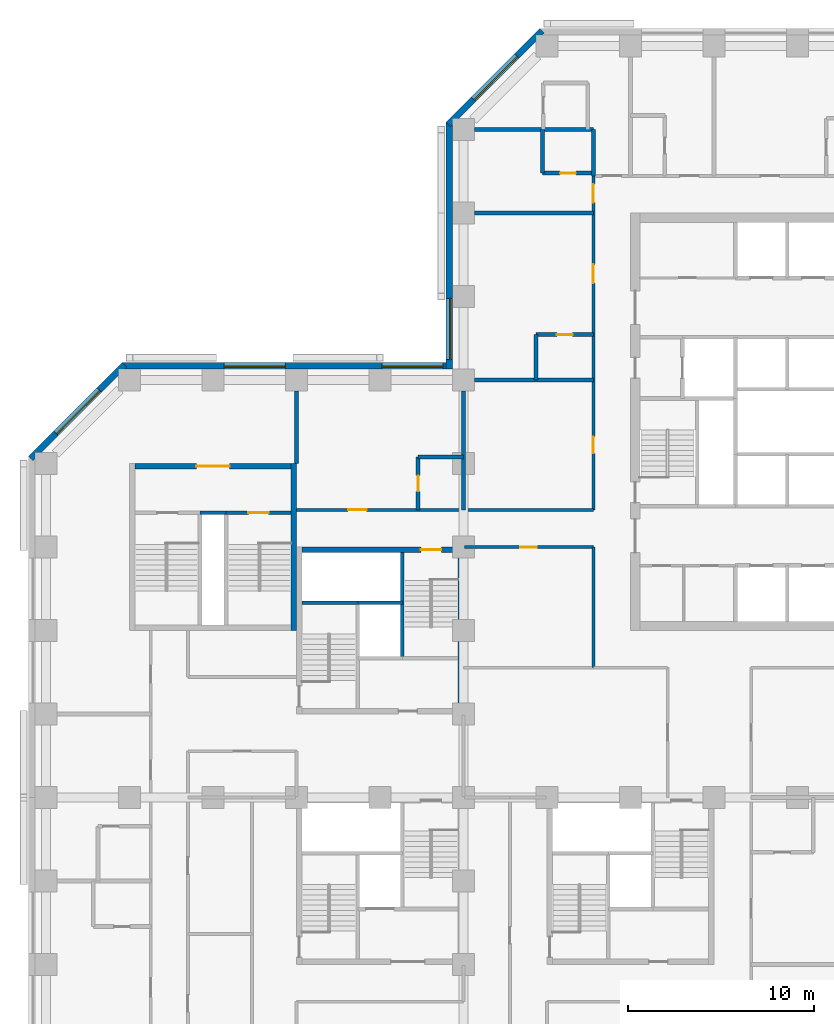
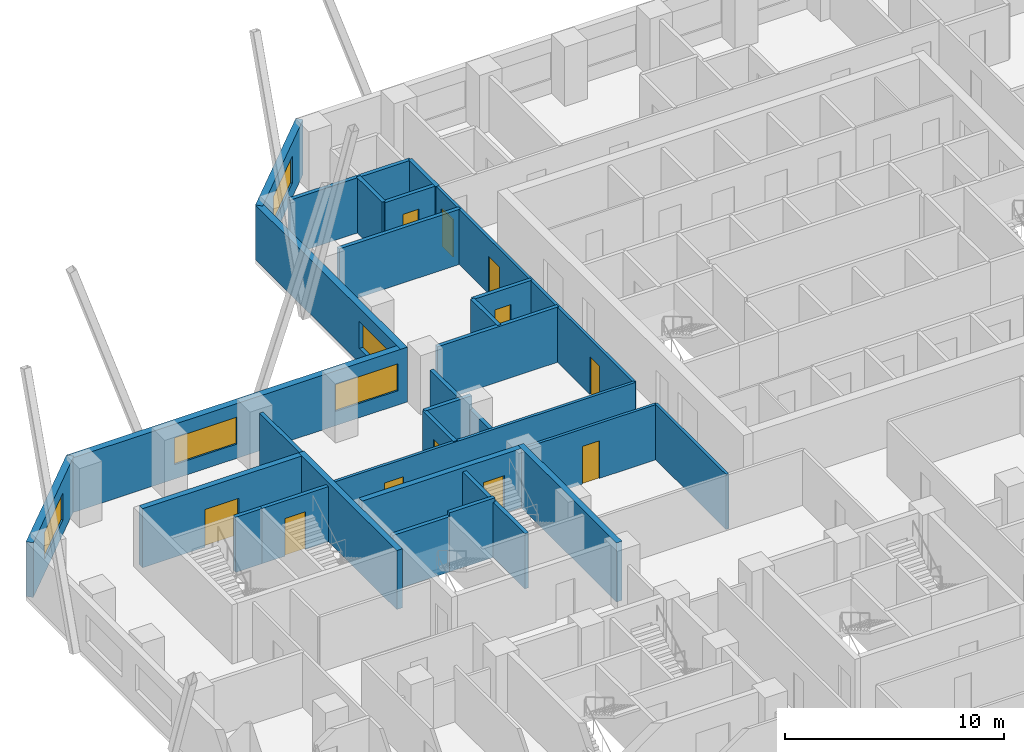
# One storey, part 7 of 13: 29 walls, 11 doors, 5 windows, 16 openings.
"""IFC4 building model written with IfcOpenShell, lengths in metres."""

from ifc_helpers import new_model, si_unit, direction, frame, frame_2d, origin, place, context, subcontext, project, spatial, rectangle, extrude, material, layer, layer_set, constituent, constituent_set, type_object, element, fill, save


model = new_model("IFC4")

# Units and contexts
model_context = context("Model", 3, precision=1e-05, world=origin(), true_north=direction((0.0, 1.0)))
body_context = subcontext(model_context, "Body", "Model", "MODEL_VIEW")
ifc_project = project(units=[si_unit("LENGTHUNIT", "METRE"), si_unit("AREAUNIT", "SQUARE_METRE"), si_unit("VOLUMEUNIT", "CUBIC_METRE"), si_unit("PLANEANGLEUNIT", "RADIAN"), si_unit("MASSUNIT", "GRAM", prefix="KILO")], contexts=[model_context])

# Site, building, storey
site_placement = place(None, origin())
site = spatial("IfcSite", under=ifc_project, at=site_placement, CompositionType="ELEMENT")
building_placement = place(site_placement, origin())
building = spatial("IfcBuilding", under=site, at=building_placement, Name="Quoin Convention Tower", CompositionType="ELEMENT")
storey_placement = place(building_placement, frame((0.0, 0.0, 26.39990234375)))
storey = spatial("IfcBuildingStorey", under=building, at=storey_placement, Name="L05", CompositionType="ELEMENT", Elevation=26.39990234375)

# Wall, opening, window
ifc_material_1 = material(Name="Brick masonry", Category="masonry")
ifc_layer_1 = layer(ifc_material_1, 0.35009765625)
ifc_layer_set_1 = layer_set([ifc_layer_1], Name="Brick masonry")
wall_type_1 = type_object("IfcWallType", Name="Brick facade wall", PredefinedType="STANDARD", material=ifc_layer_set_1)
wall_1_placement = place(storey_placement, frame((40.230224609375, 81.826416015625, 0.0), z_axis=(0.0, 0.0, 1.0), x_axis=(-0.707106781187, -0.707106781187, 0.0)))
wall_1 = element("IfcWall", 1, at=wall_1_placement, inside=storey, type_object=wall_type_1, Name="fw-L05-40500_81000", PredefinedType="STANDARD", context=body_context, shape_type="SweptSolid", body=[
    extrude(rectangle(XDim=7.151123046875, YDim=0.35009765625, at=frame_2d((3.57568359375, 0.0))), origin(), (0.0, 0.0, 1.0), 3.05517578125),
])
opening_1_placement = place(wall_1_placement, frame((1.925537109375, 0.0, 0.800048828125)))
opening_1 = element("IfcOpeningElement", 2, at=opening_1_placement, cuts=wall_1, Name="Opening W-01", PredefinedType="OPENING", context=body_context, shape_type="SweptSolid", body=[
    extrude(rectangle(XDim=3.300048828125, YDim=1.5, at=frame_2d((1.64990234375, 0.75))), frame((0.0, 0.18505859375, 0.0), z_axis=(0.0, -1.0, 0.0), x_axis=(1.0, 0.0, 0.0)), (0.0, 0.0, 1.0), 0.3701171875),
])
ifc_material_2 = material(Name="Aluminium", Category="aluminium")
ifc_constituent_1 = constituent(ifc_material_2, Name="Frame")
ifc_material_3 = material(Name="Insulated glass", Category="glass")
ifc_constituent_2 = constituent(ifc_material_3, Name="Glazing")
ifc_constituent_set = constituent_set(constituents=[ifc_constituent_1, ifc_constituent_2], Name="Aluminium")
window_type = type_object("IfcWindowType", Name="Hotel strip window", PartitioningType="DOUBLE_PANEL_VERTICAL", PredefinedType="WINDOW", material=ifc_constituent_set)
window_1_placement = place(opening_1_placement, origin())
window_1 = element("IfcWindow", 3, at=window_1_placement, inside=storey, type_object=window_type, Name="win-L05-37702_79298", OverallHeight=1.5, OverallWidth=3.300048828125, PartitioningType="SINGLE_PANEL", PredefinedType="WINDOW", context=body_context, shape_type="SweptSolid", body=[
    extrude(rectangle(XDim=3.300048828125, YDim=1.5, at=frame_2d((1.64990234375, 0.75))), frame((0.0, 0.0849609375, 0.0), z_axis=(0.0, -1.0, 0.0), x_axis=(1.0, 0.0, 0.0)), (0.0, 0.0, 1.0), 0.06005859375),
])
fill(opening_1, window_1)

wall_2_placement = place(storey_placement, frame((35.22509765625, 76.8935546875, 0.0), z_axis=(0.0, 0.0, 1.0), x_axis=(0.0, -1.0, 0.0)))
wall_2 = element("IfcWall", 4, at=wall_2_placement, inside=storey, type_object=wall_type_1, Name="fw-L05-36000_76500", PredefinedType="STANDARD", context=body_context, shape_type="SweptSolid", body=[
    extrude(rectangle(XDim=13.29345703125, YDim=0.35009765625, at=frame_2d((6.646728515625, 0.0))), origin(), (0.0, 0.0, 1.0), 3.05517578125),
])
opening_2_placement = place(wall_2_placement, frame((9.493408203125, 0.0, 0.800048828125)))
opening_2 = element("IfcOpeningElement", 5, at=opening_2_placement, cuts=wall_2, Name="Opening W-01", PredefinedType="OPENING", context=body_context, shape_type="SweptSolid", body=[
    extrude(rectangle(XDim=3.300048828125, YDim=1.5, at=frame_2d((1.64990234375, 0.75))), frame((0.0, 0.18505859375, 0.0), z_axis=(0.0, -1.0, 0.0), x_axis=(1.0, 0.0, 0.0)), (0.0, 0.0, 1.0), 0.3701171875),
])
window_2_placement = place(opening_2_placement, origin())
window_2 = element("IfcWindow", 6, at=window_2_placement, inside=storey, type_object=window_type, Name="win-L05-35225_65250", OverallHeight=1.5, OverallWidth=3.300048828125, PartitioningType="SINGLE_PANEL", PredefinedType="WINDOW", context=body_context, shape_type="SweptSolid", body=[
    extrude(rectangle(XDim=3.300048828125, YDim=1.5, at=frame_2d((1.64990234375, 0.75))), frame((0.0, 0.0849609375, 0.0), z_axis=(0.0, -1.0, 0.0), x_axis=(1.0, 0.0, 0.0)), (0.0, 0.0, 1.0), 0.06005859375),
])
fill(opening_2, window_2)

# Wall, openings, windows
wall_3_placement = place(storey_placement, frame((35.39990234375, 63.77490234375, 0.0), z_axis=(0.0, 0.0, 1.0), x_axis=(-1.0, 0.0, 0.0)))
wall_3 = element("IfcWall", 7, at=wall_3_placement, inside=storey, type_object=wall_type_1, Name="fw-L05-36000_63000", PredefinedType="STANDARD", context=body_context, shape_type="SweptSolid", body=[
    extrude(rectangle(XDim=17.79345703125, YDim=0.35009765625, at=frame_2d((8.896728515625, 0.0))), origin(), (0.0, 0.0, 1.0), 3.05517578125),
])
opening_3_placement = place(wall_3_placement, frame((0.5, 0.0, 0.800048828125)))
opening_3 = element("IfcOpeningElement", 8, at=opening_3_placement, cuts=wall_3, Name="Opening W-01", PredefinedType="OPENING", context=body_context, shape_type="SweptSolid", body=[
    extrude(rectangle(XDim=3.300048828125, YDim=1.5, at=frame_2d((1.64990234375, 0.75))), frame((0.0, 0.18505859375, 0.0), z_axis=(0.0, -1.0, 0.0), x_axis=(1.0, 0.0, 0.0)), (0.0, 0.0, 1.0), 0.3701171875),
])
opening_4_placement = place(wall_3_placement, frame((9.0, 0.0, 0.800048828125)))
opening_4 = element("IfcOpeningElement", 9, at=opening_4_placement, cuts=wall_3, Name="Opening W-01", PredefinedType="OPENING", context=body_context, shape_type="SweptSolid", body=[
    extrude(rectangle(XDim=3.300048828125, YDim=1.5, at=frame_2d((1.64990234375, 0.75))), frame((0.0, 0.18505859375, 0.0), z_axis=(0.0, -1.0, 0.0), x_axis=(1.0, 0.0, 0.0)), (0.0, 0.0, 1.0), 0.3701171875),
])
window_3_placement = place(opening_3_placement, origin())
window_3 = element("IfcWindow", 10, at=window_3_placement, inside=storey, type_object=window_type, Name="win-L05-33750_63775", OverallHeight=1.5, OverallWidth=3.300048828125, PartitioningType="SINGLE_PANEL", PredefinedType="WINDOW", context=body_context, shape_type="SweptSolid", body=[
    extrude(rectangle(XDim=3.300048828125, YDim=1.5, at=frame_2d((1.64990234375, 0.75))), frame((0.0, 0.0849609375, 0.0), z_axis=(0.0, -1.0, 0.0), x_axis=(1.0, 0.0, 0.0)), (0.0, 0.0, 1.0), 0.06005859375),
])
fill(opening_3, window_3)
window_4_placement = place(opening_4_placement, origin())
window_4 = element("IfcWindow", 11, at=window_4_placement, inside=storey, type_object=window_type, Name="win-L05-24750_63775", OverallHeight=1.5, OverallWidth=3.300048828125, PartitioningType="SINGLE_PANEL", PredefinedType="WINDOW", context=body_context, shape_type="SweptSolid", body=[
    extrude(rectangle(XDim=3.300048828125, YDim=1.5, at=frame_2d((1.64990234375, 0.75))), frame((0.0, 0.0849609375, 0.0), z_axis=(0.0, -1.0, 0.0), x_axis=(1.0, 0.0, 0.0)), (0.0, 0.0, 1.0), 0.06005859375),
])
fill(opening_4, window_4)

# Wall, opening, window
wall_4_placement = place(storey_placement, frame((17.730224609375, 63.826416015625, 0.0), z_axis=(0.0, 0.0, 1.0), x_axis=(-0.707106781187, -0.707106781187, 0.0)))
wall_4 = element("IfcWall", 12, at=wall_4_placement, inside=storey, type_object=wall_type_1, Name="fw-L05-18000_63000", PredefinedType="STANDARD", context=body_context, shape_type="SweptSolid", body=[
    extrude(rectangle(XDim=7.151123046875, YDim=0.35009765625, at=frame_2d((3.57568359375, 0.0))), origin(), (0.0, 0.0, 1.0), 3.05517578125),
])
opening_5_placement = place(wall_4_placement, frame((1.925537109375, 0.0, 0.800048828125)))
opening_5 = element("IfcOpeningElement", 13, at=opening_5_placement, cuts=wall_4, Name="Opening W-01", PredefinedType="OPENING", context=body_context, shape_type="SweptSolid", body=[
    extrude(rectangle(XDim=3.300048828125, YDim=1.5, at=frame_2d((1.64990234375, 0.75))), frame((0.0, 0.18505859375, 0.0), z_axis=(0.0, -1.0, 0.0), x_axis=(1.0, 0.0, 0.0)), (0.0, 0.0, 1.0), 0.3701171875),
])
window_5_placement = place(opening_5_placement, origin())
window_5 = element("IfcWindow", 14, at=window_5_placement, inside=storey, type_object=window_type, Name="win-L05-15202_61298", OverallHeight=1.5, OverallWidth=3.300048828125, PartitioningType="SINGLE_PANEL", PredefinedType="WINDOW", context=body_context, shape_type="SweptSolid", body=[
    extrude(rectangle(XDim=3.300048828125, YDim=1.5, at=frame_2d((1.64990234375, 0.75))), frame((0.0, 0.0849609375, 0.0), z_axis=(0.0, -1.0, 0.0), x_axis=(1.0, 0.0, 0.0)), (0.0, 0.0, 1.0), 0.06005859375),
])
fill(opening_5, window_5)

# Walls
ifc_material_4 = material(Name="Concrete C50", Category="concrete")
ifc_layer_2 = layer(ifc_material_4, 0.199951171875)
ifc_layer_set_2 = layer_set([ifc_layer_2], Name="Concrete C50")
wall_type_2 = type_object("IfcWallType", Name="Core shaft wall", PredefinedType="SOLIDWALL", material=ifc_layer_set_2)
wall_5_placement = place(storey_placement, frame((27.300048828125, 51.0, 0.0), z_axis=(0.0, 0.0, 1.0), x_axis=(1.0, 0.0, 0.0)))
element("IfcWall", 15, at=wall_5_placement, inside=storey, type_object=wall_type_2, Name="cr-P2-L05-h6000_300", PredefinedType="SOLIDWALL", context=body_context, shape_type="SweptSolid", body=[
    extrude(rectangle(XDim=3.0, YDim=0.199951171875, at=frame_2d((1.5, 0.0))), origin(), (0.0, 0.0, 1.0), 3.080078125),
])
wall_6_placement = place(storey_placement, frame((32.699951171875, 48.0, 0.0), z_axis=(0.0, 0.0, 1.0), x_axis=(0.0, 1.0, 0.0)))
element("IfcWall", 16, at=wall_6_placement, inside=storey, type_object=wall_type_2, Name="cr-P2-L05-v5700_3000", PredefinedType="SOLIDWALL", context=body_context, shape_type="SweptSolid", body=[
    extrude(rectangle(XDim=5.699951171875, YDim=0.199951171875, at=frame_2d((2.85009765625, 0.0))), origin(), (0.0, 0.0, 1.0), 3.080078125),
])
wall_7_placement = place(storey_placement, frame((21.800048828125, 55.85009765625, 0.0), z_axis=(0.0, 0.0, 1.0), x_axis=(1.0, 0.0, 0.0)))
element("IfcWall", 17, at=wall_7_placement, inside=storey, type_object=wall_type_2, Name="cr-P6-L05-h6350_3800", PredefinedType="SOLIDWALL", context=body_context, shape_type="SweptSolid", body=[
    extrude(rectangle(XDim=1.39990234375, YDim=0.199951171875, at=frame_2d((0.699951171875, 0.0))), origin(), (0.0, 0.0, 1.0), 3.080078125),
])

# Wall, opening, door
wall_8_placement = place(storey_placement, frame((23.199951171875, 55.85009765625, 0.0), z_axis=(0.0, 0.0, 1.0), x_axis=(1.0, 0.0, 0.0)))
wall_8 = element("IfcWall", 18, at=wall_8_placement, inside=storey, type_object=wall_type_2, Name="cr-P6-L05-h6350_5200", PredefinedType="SOLIDWALL", context=body_context, shape_type="SweptSolid", body=[
    extrude(rectangle(XDim=3.5, YDim=0.199951171875, at=frame_2d((1.75, 0.0))), origin(), (0.0, 0.0, 1.0), 3.080078125),
])
opening_6_placement = place(wall_8_placement, frame((1.199951171875, 0.0, 0.0)))
opening_6 = element("IfcOpeningElement", 19, at=opening_6_placement, cuts=wall_8, Name="Opening SD12", PredefinedType="OPENING", context=body_context, shape_type="SweptSolid", body=[
    extrude(rectangle(XDim=1.10009765625, YDim=2.10009765625, at=frame_2d((0.550048828125, 1.050048828125))), frame((0.0, 0.10986328125, 0.0), z_axis=(0.0, -1.0, 0.0), x_axis=(1.0, 0.0, 0.0)), (0.0, 0.0, 1.0), 0.219970703125),
])
ifc_material_5 = material(Name="Steel door leaf", Category="steel")
door_type_1 = type_object("IfcDoorType", Name="Stair door 1100 x 2100", OperationType="SINGLE_SWING_RIGHT", PredefinedType="DOOR", material=ifc_material_5)
door_1_placement = place(opening_6_placement, origin())
door_1 = element("IfcDoor", 20, at=door_1_placement, inside=storey, type_object=door_type_1, Name="cd-P6-L05-SB-R2-SD12", OperationType="SINGLE_SWING_RIGHT", OverallHeight=2.10009765625, OverallWidth=1.10009765625, PredefinedType="DOOR", context=body_context, shape_type="SweptSolid", body=[
    extrude(rectangle(XDim=1.10009765625, YDim=2.10009765625, at=frame_2d((0.550048828125, 1.050048828125))), frame((0.0, 0.02490234375, 0.0), z_axis=(0.0, -1.0, 0.0), x_axis=(1.0, 0.0, 0.0)), (0.0, 0.0, 1.0), 0.050048828125),
])
fill(opening_6, door_1)

# Wall
ifc_layer_3 = layer(ifc_material_4, 0.199951171875)
ifc_layer_set_3 = layer_set([ifc_layer_3], Name="Concrete C50")
wall_type_3 = type_object("IfcWallType", Name="Core shaft wall to the floor level over", PredefinedType="SOLIDWALL", material=ifc_layer_set_3)
wall_9_placement = place(storey_placement, frame((30.300048828125, 51.0, 0.0), z_axis=(0.0, 0.0, 1.0), x_axis=(1.0, 0.0, 0.0)))
element("IfcWall", 21, at=wall_9_placement, inside=storey, type_object=wall_type_3, Name="cr-P2-L05-h6000_3300", PredefinedType="SOLIDWALL", context=body_context, shape_type="SweptSolid", body=[
    extrude(rectangle(XDim=2.39990234375, YDim=0.199951171875, at=frame_2d((1.199951171875, 0.0))), origin(), (0.0, 0.0, 1.0), 3.300048828125),
])

# Wall, opening, door
ifc_material_6 = material(Name="Concrete C80", Category="concrete")
ifc_layer_4 = layer(ifc_material_6, 0.300048828125)
ifc_layer_set_4 = layer_set([ifc_layer_4], Name="Concrete C80")
wall_type_4 = type_object("IfcWallType", Name="RC CORE WALL 300 C80", PredefinedType="SHEAR", material=ifc_layer_set_4)
wall_10_placement = place(storey_placement, frame((27.300048828125, 53.85009765625, 0.0), z_axis=(0.0, 0.0, 1.0), x_axis=(1.0, 0.0, 0.0)))
wall_10 = element("IfcWall", 22, at=wall_10_placement, inside=storey, type_object=wall_type_4, Name="cwl-P2-L05-N", PredefinedType="SHEAR", context=body_context, shape_type="SweptSolid", body=[
    extrude(rectangle(XDim=8.39990234375, YDim=0.300048828125, at=frame_2d((4.199951171875, 0.0))), origin(), (0.0, 0.0, 1.0), 3.300048828125),
])
opening_7_placement = place(wall_10_placement, frame((6.39990234375, 0.0, 0.0)))
opening_7 = element("IfcOpeningElement", 23, at=opening_7_placement, cuts=wall_10, Name="Opening SD4", PredefinedType="OPENING", context=body_context, shape_type="SweptSolid", body=[
    extrude(rectangle(XDim=1.10009765625, YDim=2.10009765625, at=frame_2d((0.550048828125, 1.050048828125))), frame((0.0, 0.159912109375, 0.0), z_axis=(0.0, -1.0, 0.0), x_axis=(1.0, 0.0, 0.0)), (0.0, 0.0, 1.0), 0.320068359375),
])
door_2_placement = place(opening_7_placement, frame((1.10009765625, 0.0, 0.0), z_axis=(0.0, 0.0, 1.0), x_axis=(-1.0, 0.0, 0.0)))
door_2 = element("IfcDoor", 24, at=door_2_placement, inside=storey, type_object=door_type_1, Name="cd-P2-L05-SB-N", OperationType="SINGLE_SWING_LEFT", OverallHeight=2.10009765625, OverallWidth=1.10009765625, PredefinedType="DOOR", context=body_context, shape_type="SweptSolid", body=[
    extrude(rectangle(XDim=1.10009765625, YDim=2.10009765625, at=frame_2d((0.550048828125, 1.050048828125))), frame((0.0, 0.02490234375, 0.0), z_axis=(0.0, -1.0, 0.0), x_axis=(1.0, 0.0, 0.0)), (0.0, 0.0, 1.0), 0.050048828125),
])
fill(opening_7, door_2)

# Wall
wall_11_placement = place(storey_placement, frame((35.85009765625, 45.0, 0.0), z_axis=(0.0, 0.0, 1.0), x_axis=(0.0, 1.0, 0.0)))
element("IfcWall", 25, at=wall_11_placement, inside=storey, type_object=wall_type_4, Name="cwl-P2-L05-E", PredefinedType="SHEAR", context=body_context, shape_type="SweptSolid", body=[
    extrude(rectangle(XDim=9.0, YDim=0.300048828125, at=frame_2d((4.5, 0.0))), origin(), (0.0, 0.0, 1.0), 3.300048828125),
])

# Wall, opening, door
wall_12_placement = place(storey_placement, frame((18.300048828125, 58.35009765625, 0.0), z_axis=(0.0, 0.0, 1.0), x_axis=(1.0, 0.0, 0.0)))
wall_12 = element("IfcWall", 26, at=wall_12_placement, inside=storey, type_object=wall_type_4, Name="cwl-P6-L05-N", PredefinedType="SHEAR", context=body_context, shape_type="SweptSolid", body=[
    extrude(rectangle(XDim=8.39990234375, YDim=0.300048828125, at=frame_2d((4.199951171875, 0.0))), origin(), (0.0, 0.0, 1.0), 3.300048828125),
])
opening_8_placement = place(wall_12_placement, frame((3.300048828125, 0.0, 0.0)))
opening_8 = element("IfcOpeningElement", 27, at=opening_8_placement, cuts=wall_12, Name="Opening DCV2-45", PredefinedType="OPENING", context=body_context, shape_type="SweptSolid", body=[
    extrude(rectangle(XDim=1.800048828125, YDim=2.10009765625, at=frame_2d((0.89990234375, 1.050048828125))), frame((0.0, 0.159912109375, 0.0), z_axis=(0.0, -1.0, 0.0), x_axis=(1.0, 0.0, 0.0)), (0.0, 0.0, 1.0), 0.320068359375),
])
door_type_2 = type_object("IfcDoorType", Name="Goods lobby door 1800 x 2100", OperationType="SINGLE_SWING_LEFT", PredefinedType="DOOR", material=ifc_material_5)
door_3_placement = place(opening_8_placement, origin())
door_3 = element("IfcDoor", 28, at=door_3_placement, inside=storey, type_object=door_type_2, Name="cd-P6-L05-R2-N", OperationType="SINGLE_SWING_RIGHT", OverallHeight=2.10009765625, OverallWidth=1.800048828125, PredefinedType="DOOR", context=body_context, shape_type="SweptSolid", body=[
    extrude(rectangle(XDim=1.800048828125, YDim=2.10009765625, at=frame_2d((0.89990234375, 1.050048828125))), frame((0.0, 0.02490234375, 0.0), z_axis=(0.0, -1.0, 0.0), x_axis=(1.0, 0.0, 0.0)), (0.0, 0.0, 1.0), 0.050048828125),
])
fill(opening_8, door_3)

# Walls
wall_13_placement = place(storey_placement, frame((26.85009765625, 49.5, 0.0), z_axis=(0.0, 0.0, 1.0), x_axis=(0.0, 1.0, 0.0)))
element("IfcWall", 29, at=wall_13_placement, inside=storey, type_object=wall_type_4, Name="cwl-P6-L05-E", PredefinedType="SHEAR", context=body_context, shape_type="SweptSolid", body=[
    extrude(rectangle(XDim=9.0, YDim=0.300048828125, at=frame_2d((4.5, 0.0))), origin(), (0.0, 0.0, 1.0), 3.300048828125),
])
ifc_layer_5 = layer(ifc_material_4, 0.199951171875)
ifc_layer_set_5 = layer_set([ifc_layer_5], Name="Concrete C50")
wall_type_5 = type_object("IfcWallType", Name="RC party wall", PredefinedType="SOLIDWALL", material=ifc_layer_set_5)
wall_14_placement = place(storey_placement, frame((27.0, 58.5, 0.0), z_axis=(0.0, 0.0, 1.0), x_axis=(0.0, 1.0, 0.0)))
element("IfcWall", 30, at=wall_14_placement, inside=storey, type_object=wall_type_5, Name="pw-L05-102", PredefinedType="SOLIDWALL", context=body_context, shape_type="SweptSolid", body=[
    extrude(rectangle(XDim=3.89990234375, YDim=0.199951171875, at=frame_2d((1.949951171875, 0.0))), origin(), (0.0, 0.0, 1.0), 3.080078125),
])

# Wall, opening, door
wall_15_placement = place(storey_placement, frame((33.550048828125, 56.0, 0.0), z_axis=(0.0, 0.0, 1.0), x_axis=(0.0, 1.0, 0.0)))
wall_15 = element("IfcWall", 31, at=wall_15_placement, inside=storey, type_object=wall_type_5, Name="pw-L05-103", PredefinedType="SOLIDWALL", context=body_context, shape_type="SweptSolid", body=[
    extrude(rectangle(XDim=2.85009765625, YDim=0.199951171875, at=frame_2d((1.425048828125, 0.0))), origin(), (0.0, 0.0, 1.0), 3.080078125),
])
opening_9_placement = place(wall_15_placement, frame((1.0, 0.0, 0.0)))
opening_9 = element("IfcOpeningElement", 32, at=opening_9_placement, cuts=wall_15, Name="Opening DHOTEL-A-57", PredefinedType="OPENING", context=body_context, shape_type="SweptSolid", body=[
    extrude(rectangle(XDim=0.85009765625, YDim=2.10009765625, at=frame_2d((0.425048828125, 1.050048828125))), frame((0.0, 0.10986328125, 0.0), z_axis=(0.0, -1.0, 0.0), x_axis=(1.0, 0.0, 0.0)), (0.0, 0.0, 1.0), 0.219970703125),
])
door_type_3 = type_object("IfcDoorType", Name="Bathroom door", OperationType="SINGLE_SWING_LEFT", PredefinedType="DOOR", material=ifc_material_5)
door_4_placement = place(opening_9_placement, origin())
door_4 = element("IfcDoor", 33, at=door_4_placement, inside=storey, type_object=door_type_3, Name="dr-L05-028", OperationType="SINGLE_SWING_LEFT", OverallHeight=2.10009765625, OverallWidth=0.85009765625, PredefinedType="DOOR", context=body_context, shape_type="SweptSolid", body=[
    extrude(rectangle(XDim=0.85009765625, YDim=2.10009765625, at=frame_2d((0.425048828125, 1.050048828125))), frame((0.0, 0.02490234375, 0.0), z_axis=(0.0, -1.0, 0.0), x_axis=(1.0, 0.0, 0.0)), (0.0, 0.0, 1.0), 0.050048828125),
])
fill(opening_9, door_4)

# Walls
for number, where, z_axis, x_axis, name in (
    (34, (33.550048828125, 58.85009765625, 0.0), (0.0, 0.0, 1.0), (1.0, 0.0, 0.0), "pw-L05-112"),
    (35, (39.89990234375, 63.0, 0.0), (0.0, 0.0, 1.0), (0.0, 1.0, 0.0), "pw-L05-115"),
):
    element("IfcWall", number, at=place(storey_placement, frame(where, z_axis=z_axis, x_axis=x_axis)), inside=storey, type_object=wall_type_5, Name=name, PredefinedType="SOLIDWALL", context=body_context, shape_type="SweptSolid", body=[
        extrude(rectangle(XDim=2.449951171875, YDim=0.199951171875, at=frame_2d((1.22509765625, 0.0))), origin(), (0.0, 0.0, 1.0), 3.080078125),
    ])

# Wall, opening, door
wall_16_placement = place(storey_placement, frame((39.89990234375, 65.449951171875, 0.0), z_axis=(0.0, 0.0, 1.0), x_axis=(1.0, 0.0, 0.0)))
wall_16 = element("IfcWall", 36, at=wall_16_placement, inside=storey, type_object=wall_type_5, Name="pw-L05-116", PredefinedType="SOLIDWALL", context=body_context, shape_type="SweptSolid", body=[
    extrude(rectangle(XDim=3.10009765625, YDim=0.199951171875, at=frame_2d((1.550048828125, 0.0))), origin(), (0.0, 0.0, 1.0), 3.080078125),
])
opening_10_placement = place(wall_16_placement, frame((1.125, 0.0, 0.0)))
opening_10 = element("IfcOpeningElement", 37, at=opening_10_placement, cuts=wall_16, Name="Opening DHOTEL-A-59", PredefinedType="OPENING", context=body_context, shape_type="SweptSolid", body=[
    extrude(rectangle(XDim=0.85009765625, YDim=2.10009765625, at=frame_2d((0.425048828125, 1.050048828125))), frame((0.0, 0.10986328125, 0.0), z_axis=(0.0, -1.0, 0.0), x_axis=(1.0, 0.0, 0.0)), (0.0, 0.0, 1.0), 0.219970703125),
])
door_5_placement = place(opening_10_placement, origin())
door_5 = element("IfcDoor", 38, at=door_5_placement, inside=storey, type_object=door_type_3, Name="dr-L05-032", OperationType="SINGLE_SWING_RIGHT", OverallHeight=2.10009765625, OverallWidth=0.85009765625, PredefinedType="DOOR", context=body_context, shape_type="SweptSolid", body=[
    extrude(rectangle(XDim=0.85009765625, YDim=2.10009765625, at=frame_2d((0.425048828125, 1.050048828125))), frame((0.0, 0.02490234375, 0.0), z_axis=(0.0, -1.0, 0.0), x_axis=(1.0, 0.0, 0.0)), (0.0, 0.0, 1.0), 0.050048828125),
])
fill(opening_10, door_5)

# Walls
wall_17_placement = place(storey_placement, frame((36.60009765625, 72.0, 0.0), z_axis=(0.0, 0.0, 1.0), x_axis=(1.0, 0.0, 0.0)))
element("IfcWall", 39, at=wall_17_placement, inside=storey, type_object=wall_type_5, Name="pw-L05-118", PredefinedType="SOLIDWALL", context=body_context, shape_type="SweptSolid", body=[
    extrude(rectangle(XDim=6.39990234375, YDim=0.199951171875, at=frame_2d((3.199951171875, 0.0))), origin(), (0.0, 0.0, 1.0), 3.080078125),
])
wall_18_placement = place(storey_placement, frame((43.0, 74.0, 0.0), z_axis=(0.0, 0.0, 1.0), x_axis=(0.0, 1.0, 0.0)))
element("IfcWall", 40, at=wall_18_placement, inside=storey, type_object=wall_type_5, Name="pw-L05-121", PredefinedType="SOLIDWALL", context=body_context, shape_type="SweptSolid", body=[
    extrude(rectangle(XDim=2.5, YDim=0.199951171875, at=frame_2d((1.25, 0.0))), origin(), (0.0, 0.0, 1.0), 3.080078125),
])

# Wall, opening, door
wall_19_placement = place(storey_placement, frame((40.25, 74.14990234375, 0.0), z_axis=(0.0, 0.0, 1.0), x_axis=(1.0, 0.0, 0.0)))
wall_19 = element("IfcWall", 41, at=wall_19_placement, inside=storey, type_object=wall_type_5, Name="pw-L05-130", PredefinedType="SOLIDWALL", context=body_context, shape_type="SweptSolid", body=[
    extrude(rectangle(XDim=2.75, YDim=0.199951171875, at=frame_2d((1.375, 0.0))), origin(), (0.0, 0.0, 1.0), 3.080078125),
])
opening_11_placement = place(wall_19_placement, frame((0.949951171875, 0.0, 0.0)))
opening_11 = element("IfcOpeningElement", 42, at=opening_11_placement, cuts=wall_19, Name="Opening DHOTEL-A-64", PredefinedType="OPENING", context=body_context, shape_type="SweptSolid", body=[
    extrude(rectangle(XDim=0.85009765625, YDim=2.10009765625, at=frame_2d((0.425048828125, 1.050048828125))), frame((0.0, 0.10986328125, 0.0), z_axis=(0.0, -1.0, 0.0), x_axis=(1.0, 0.0, 0.0)), (0.0, 0.0, 1.0), 0.219970703125),
])
door_6_placement = place(opening_11_placement, frame((0.85009765625, 0.0, 0.0), z_axis=(0.0, 0.0, 1.0), x_axis=(-1.0, 0.0, 0.0)))
door_6 = element("IfcDoor", 43, at=door_6_placement, inside=storey, type_object=door_type_3, Name="dr-L05-034", OperationType="SINGLE_SWING_LEFT", OverallHeight=2.10009765625, OverallWidth=0.85009765625, PredefinedType="DOOR", context=body_context, shape_type="SweptSolid", body=[
    extrude(rectangle(XDim=0.85009765625, YDim=2.10009765625, at=frame_2d((0.425048828125, 1.050048828125))), frame((0.0, 0.02490234375, 0.0), z_axis=(0.0, -1.0, 0.0), x_axis=(1.0, 0.0, 0.0)), (0.0, 0.0, 1.0), 0.050048828125),
])
fill(opening_11, door_6)

# Walls
wall_20_placement = place(storey_placement, frame((40.25, 74.14990234375, 0.0), z_axis=(0.0, 0.0, 1.0), x_axis=(0.0, 1.0, 0.0)))
element("IfcWall", 44, at=wall_20_placement, inside=storey, type_object=wall_type_5, Name="pw-L05-131", PredefinedType="SOLIDWALL", context=body_context, shape_type="SweptSolid", body=[
    extrude(rectangle(XDim=2.35009765625, YDim=0.199951171875, at=frame_2d((1.175048828125, 0.0))), origin(), (0.0, 0.0, 1.0), 3.080078125),
])
wall_21_placement = place(storey_placement, frame((36.60009765625, 76.5, 0.0), z_axis=(0.0, 0.0, 1.0), x_axis=(1.0, 0.0, 0.0)))
element("IfcWall", 45, at=wall_21_placement, inside=storey, type_object=wall_type_5, Name="pw-L05-132", PredefinedType="SOLIDWALL", context=body_context, shape_type="SweptSolid", body=[
    extrude(rectangle(XDim=6.39990234375, YDim=0.199951171875, at=frame_2d((3.199951171875, 0.0))), origin(), (0.0, 0.0, 1.0), 3.080078125),
])
ifc_material_7 = material(Name="Plasterboard")
ifc_layer_6 = layer(ifc_material_7, 0.012451171875, Name="Finish")
ifc_material_8 = material(Name="Steel stud framing", Category="steel")
ifc_layer_7 = layer(ifc_material_8, 0.125, Name="Structure")
ifc_layer_8 = layer(ifc_material_7, 0.012451171875, Name="Finish")
ifc_layer_set_6 = layer_set([ifc_layer_6, ifc_layer_7, ifc_layer_8], Name="Steel stud framing")
wall_type_6 = type_object("IfcWallType", Name="corridor partition", PredefinedType="PARTITIONING", material=ifc_layer_set_6)
wall_22_placement = place(storey_placement, frame((43.0, 47.5, 0.0), z_axis=(0.0, 0.0, 1.0), x_axis=(0.0, 1.0, 0.0)))
element("IfcWall", 46, at=wall_22_placement, inside=storey, type_object=wall_type_6, Name="pw-L05-029", PredefinedType="PARTITIONING", context=body_context, shape_type="SweptSolid", body=[
    extrude(rectangle(XDim=6.5, YDim=0.14990234375, at=frame_2d((3.25, 0.0))), origin(), (0.0, 0.0, 1.0), 3.080078125),
])

# Wall, opening, door
wall_23_placement = place(storey_placement, frame((36.050048828125, 54.0, 0.0), z_axis=(0.0, 0.0, 1.0), x_axis=(1.0, 0.0, 0.0)))
wall_23 = element("IfcWall", 47, at=wall_23_placement, inside=storey, type_object=wall_type_6, Name="pw-L05-033", PredefinedType="PARTITIONING", context=body_context, shape_type="SweptSolid", body=[
    extrude(rectangle(XDim=6.949951171875, YDim=0.14990234375, at=frame_2d((3.47509765625, 0.0))), origin(), (0.0, 0.0, 1.0), 3.080078125),
])
opening_12_placement = place(wall_23_placement, frame((3.0, 0.0, 0.0)))
opening_12 = element("IfcOpeningElement", 48, at=opening_12_placement, cuts=wall_23, Name="Opening DHOTEL-A-29", PredefinedType="OPENING", context=body_context, shape_type="SweptSolid", body=[
    extrude(rectangle(XDim=0.89990234375, YDim=2.10009765625, at=frame_2d((0.449951171875, 1.050048828125))), frame((0.0, 0.0849609375, 0.0), z_axis=(0.0, -1.0, 0.0), x_axis=(1.0, 0.0, 0.0)), (0.0, 0.0, 1.0), 0.169921875),
])
door_type_4 = type_object("IfcDoorType", Name="Single room door", OperationType="SINGLE_SWING_RIGHT", PredefinedType="DOOR", material=ifc_material_5)
door_7_placement = place(opening_12_placement, frame((0.89990234375, 0.0, 0.0), z_axis=(0.0, 0.0, 1.0), x_axis=(-1.0, 0.0, 0.0)))
door_7 = element("IfcDoor", 49, at=door_7_placement, inside=storey, type_object=door_type_4, Name="dr-L05-071", OperationType="SINGLE_SWING_LEFT", OverallHeight=2.10009765625, OverallWidth=0.89990234375, PredefinedType="DOOR", context=body_context, shape_type="SweptSolid", body=[
    extrude(rectangle(XDim=0.89990234375, YDim=2.10009765625, at=frame_2d((0.449951171875, 1.050048828125))), frame((0.0, 0.02490234375, 0.0), z_axis=(0.0, -1.0, 0.0), x_axis=(1.0, 0.0, 0.0)), (0.0, 0.0, 1.0), 0.050048828125),
])
fill(opening_12, door_7)

wall_24_placement = place(storey_placement, frame((27.0, 56.0, 0.0), z_axis=(0.0, 0.0, 1.0), x_axis=(1.0, 0.0, 0.0)))
wall_24 = element("IfcWall", 50, at=wall_24_placement, inside=storey, type_object=wall_type_6, Name="pw-L05-034", PredefinedType="PARTITIONING", context=body_context, shape_type="SweptSolid", body=[
    extrude(rectangle(XDim=16.0, YDim=0.14990234375, at=frame_2d((8.0, 0.0))), origin(), (0.0, 0.0, 1.0), 3.080078125),
])
opening_13_placement = place(wall_24_placement, frame((2.77490234375, 0.0, 0.0)))
opening_13 = element("IfcOpeningElement", 51, at=opening_13_placement, cuts=wall_24, Name="Opening DHOTEL-A-30", PredefinedType="OPENING", context=body_context, shape_type="SweptSolid", body=[
    extrude(rectangle(XDim=1.0, YDim=2.10009765625, at=frame_2d((0.5, 1.050048828125))), frame((0.0, 0.0849609375, 0.0), z_axis=(0.0, -1.0, 0.0), x_axis=(1.0, 0.0, 0.0)), (0.0, 0.0, 1.0), 0.169921875),
])
door_type_5 = type_object("IfcDoorType", Name="Hotel room door", OperationType="SINGLE_SWING_LEFT", PredefinedType="DOOR", material=ifc_material_5)
door_8_placement = place(opening_13_placement, origin())
door_8 = element("IfcDoor", 52, at=door_8_placement, inside=storey, type_object=door_type_5, Name="dr-L05-027", OperationType="SINGLE_SWING_RIGHT", OverallHeight=2.10009765625, OverallWidth=1.0, PredefinedType="DOOR", context=body_context, shape_type="SweptSolid", body=[
    extrude(rectangle(XDim=1.0, YDim=2.10009765625, at=frame_2d((0.5, 1.050048828125))), frame((0.0, 0.02490234375, 0.0), z_axis=(0.0, -1.0, 0.0), x_axis=(1.0, 0.0, 0.0)), (0.0, 0.0, 1.0), 0.050048828125),
])
fill(opening_13, door_8)

# Wall, openings, doors
wall_25_placement = place(storey_placement, frame((43.0, 56.0, 0.0), z_axis=(0.0, 0.0, 1.0), x_axis=(0.0, 1.0, 0.0)))
wall_25 = element("IfcWall", 53, at=wall_25_placement, inside=storey, type_object=wall_type_6, Name="pw-L05-035", PredefinedType="PARTITIONING", context=body_context, shape_type="SweptSolid", body=[
    extrude(rectangle(XDim=18.0, YDim=0.14990234375, at=frame_2d((9.0, 0.0))), origin(), (0.0, 0.0, 1.0), 3.080078125),
])
opening_14_placement = place(wall_25_placement, frame((12.22509765625, 0.0, 0.0)))
opening_14 = element("IfcOpeningElement", 54, at=opening_14_placement, cuts=wall_25, Name="Opening DHOTEL-A-32", PredefinedType="OPENING", context=body_context, shape_type="SweptSolid", body=[
    extrude(rectangle(XDim=1.0, YDim=2.10009765625, at=frame_2d((0.5, 1.050048828125))), frame((0.0, 0.0849609375, 0.0), z_axis=(0.0, -1.0, 0.0), x_axis=(1.0, 0.0, 0.0)), (0.0, 0.0, 1.0), 0.169921875),
])
opening_15_placement = place(wall_25_placement, frame((16.552978515625, 0.0, 0.0)))
opening_15 = element("IfcOpeningElement", 55, at=opening_15_placement, cuts=wall_25, Name="Opening DHOTEL-A-33", PredefinedType="OPENING", context=body_context, shape_type="SweptSolid", body=[
    extrude(rectangle(XDim=1.0, YDim=2.10009765625, at=frame_2d((0.5, 1.050048828125))), frame((0.0, 0.0849609375, 0.0), z_axis=(0.0, -1.0, 0.0), x_axis=(1.0, 0.0, 0.0)), (0.0, 0.0, 1.0), 0.169921875),
])
opening_16_placement = place(wall_25_placement, frame((3.050048828125, 0.0, 0.0)))
opening_16 = element("IfcOpeningElement", 56, at=opening_16_placement, cuts=wall_25, Name="Opening DHOTEL-A-31", PredefinedType="OPENING", context=body_context, shape_type="SweptSolid", body=[
    extrude(rectangle(XDim=0.89990234375, YDim=2.10009765625, at=frame_2d((0.449951171875, 1.050048828125))), frame((0.0, 0.0849609375, 0.0), z_axis=(0.0, -1.0, 0.0), x_axis=(1.0, 0.0, 0.0)), (0.0, 0.0, 1.0), 0.169921875),
])
door_9_placement = place(opening_14_placement, origin())
door_9 = element("IfcDoor", 57, at=door_9_placement, inside=storey, type_object=door_type_5, Name="dr-L05-031", OperationType="SINGLE_SWING_RIGHT", OverallHeight=2.10009765625, OverallWidth=1.0, PredefinedType="DOOR", context=body_context, shape_type="SweptSolid", body=[
    extrude(rectangle(XDim=1.0, YDim=2.10009765625, at=frame_2d((0.5, 1.050048828125))), frame((0.0, 0.02490234375, 0.0), z_axis=(0.0, -1.0, 0.0), x_axis=(1.0, 0.0, 0.0)), (0.0, 0.0, 1.0), 0.050048828125),
])
fill(opening_14, door_9)
door_10_placement = place(opening_15_placement, origin())
door_10 = element("IfcDoor", 58, at=door_10_placement, inside=storey, type_object=door_type_5, Name="dr-L05-033", OperationType="SINGLE_SWING_RIGHT", OverallHeight=2.10009765625, OverallWidth=1.0, PredefinedType="DOOR", context=body_context, shape_type="SweptSolid", body=[
    extrude(rectangle(XDim=1.0, YDim=2.10009765625, at=frame_2d((0.5, 1.050048828125))), frame((0.0, 0.02490234375, 0.0), z_axis=(0.0, -1.0, 0.0), x_axis=(1.0, 0.0, 0.0)), (0.0, 0.0, 1.0), 0.050048828125),
])
fill(opening_15, door_10)
door_11_placement = place(opening_16_placement, origin())
door_11 = element("IfcDoor", 59, at=door_11_placement, inside=storey, type_object=door_type_4, Name="dr-L05-072", OperationType="SINGLE_SWING_RIGHT", OverallHeight=2.10009765625, OverallWidth=0.89990234375, PredefinedType="DOOR", context=body_context, shape_type="SweptSolid", body=[
    extrude(rectangle(XDim=0.89990234375, YDim=2.10009765625, at=frame_2d((0.449951171875, 1.050048828125))), frame((0.0, 0.02490234375, 0.0), z_axis=(0.0, -1.0, 0.0), x_axis=(1.0, 0.0, 0.0)), (0.0, 0.0, 1.0), 0.050048828125),
])
fill(opening_16, door_11)

# Walls
ifc_layer_9 = layer(ifc_material_7, 0.012451171875, Name="Finish")
ifc_layer_10 = layer(ifc_material_8, 0.175048828125, Name="Structure")
ifc_layer_11 = layer(ifc_material_7, 0.012451171875, Name="Finish")
ifc_layer_set_7 = layer_set([ifc_layer_9, ifc_layer_10, ifc_layer_11], Name="Steel stud framing")
wall_type_7 = type_object("IfcWallType", Name="guest room compartment wall", PredefinedType="PARTITIONING", material=ifc_layer_set_7)
wall_26_placement = place(storey_placement, frame((36.60009765625, 63.0, 0.0), z_axis=(0.0, 0.0, 1.0), x_axis=(1.0, 0.0, 0.0)))
element("IfcWall", 60, at=wall_26_placement, inside=storey, type_object=wall_type_7, Name="pw-L05-004", PredefinedType="PARTITIONING", context=body_context, shape_type="SweptSolid", body=[
    extrude(rectangle(XDim=6.39990234375, YDim=0.199951171875, at=frame_2d((3.199951171875, 0.0))), origin(), (0.0, 0.0, 1.0), 3.080078125),
])
ifc_layer_12 = layer(ifc_material_7, 0.012451171875, Name="Finish")
ifc_layer_13 = layer(ifc_material_8, 0.175048828125, Name="Structure")
ifc_layer_14 = layer(ifc_material_7, 0.012451171875, Name="Finish")
ifc_layer_set_8 = layer_set([ifc_layer_12, ifc_layer_13, ifc_layer_14], Name="Steel stud framing")
wall_type_8 = type_object("IfcWallType", Name="guest room compartment wall under beam 750", PredefinedType="PARTITIONING", material=ifc_layer_set_8)
wall_27_placement = place(storey_placement, frame((36.0, 56.0, 0.0), z_axis=(0.0, 0.0, 1.0), x_axis=(0.0, 1.0, 0.0)))
element("IfcWall", 61, at=wall_27_placement, inside=storey, type_object=wall_type_8, Name="pw-L05-003", PredefinedType="PARTITIONING", context=body_context, shape_type="SweptSolid", body=[
    extrude(rectangle(XDim=6.39990234375, YDim=0.199951171875, at=frame_2d((3.199951171875, 0.0))), origin(), (0.0, 0.0, 1.0), 2.330078125),
])

save(model, "model.ifc")
